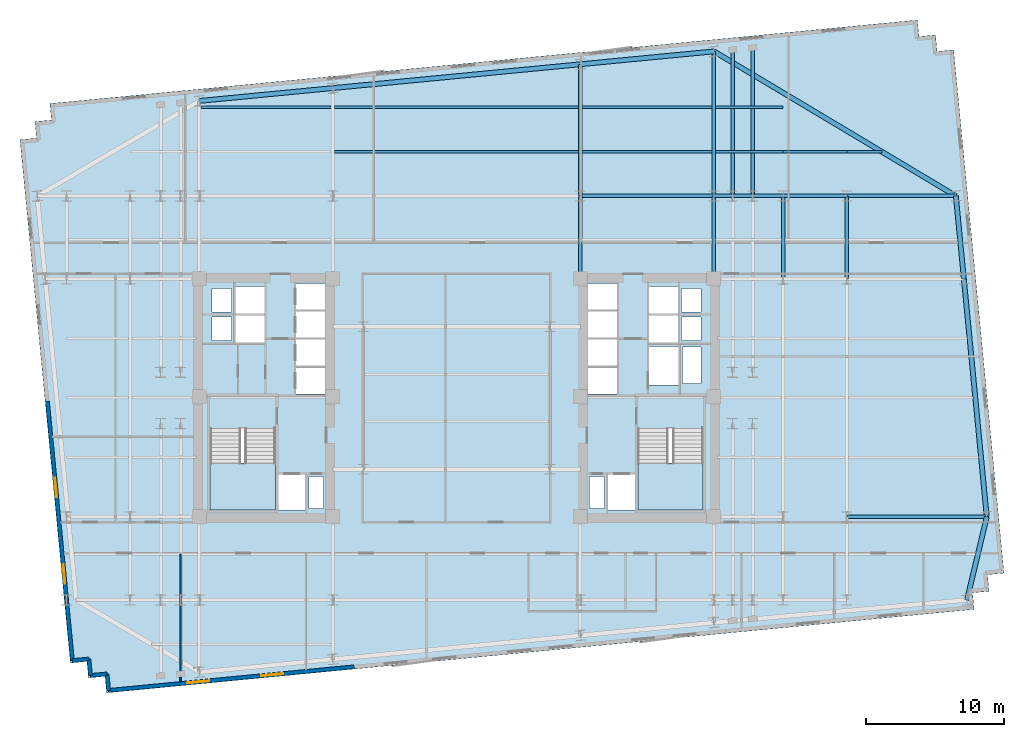
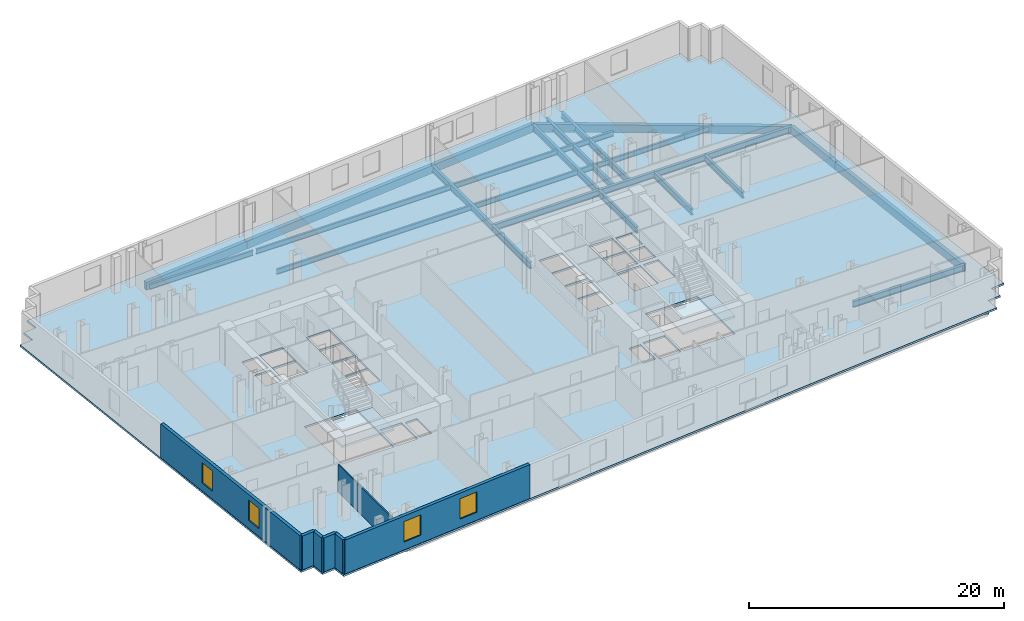
# One storey, part 3 of 10: 29 beams, 7 walls, 4 windows, 3 slabs, 4 openings, 2 elements without a shape of their own.
"""IFC4 building model written with IfcOpenShell, lengths in metres."""

from ifc_helpers import new_model, si_unit, direction, frame, frame_2d, origin, origin_2d, place, context, subcontext, project, spatial, polyline, rectangle, i_section, outline, extrude, material, layer, layer_set, material_profile, profile_set, type_object, element, fill, aggregate, save


model = new_model("IFC4")

# Units and contexts
model_context = context("Model", 3, precision=1e-05, world=origin(), true_north=direction((0.0, 1.0)))
body_context = subcontext(model_context, "Body", "Model", "MODEL_VIEW")
ifc_project = project(units=[si_unit("LENGTHUNIT", "METRE"), si_unit("AREAUNIT", "SQUARE_METRE"), si_unit("VOLUMEUNIT", "CUBIC_METRE"), si_unit("PLANEANGLEUNIT", "RADIAN"), si_unit("MASSUNIT", "GRAM", prefix="KILO")], contexts=[model_context])

# Site, building, storey
site_placement = place(None, origin())
site = spatial("IfcSite", under=ifc_project, at=site_placement, CompositionType="ELEMENT")
building_placement = place(site_placement, origin())
building = spatial("IfcBuilding", under=site, at=building_placement, Name="Velakula Bourse", CompositionType="ELEMENT")
storey_placement = place(building_placement, frame((0.0, 0.0, 84.550048828125)))
storey = spatial("IfcBuildingStorey", under=building, at=storey_placement, Name="L22", CompositionType="ELEMENT", Elevation=84.550048828125)

# Beams
ifc_material_1 = material(Name="Steel IS 2062 Grade 350 (E350)", Category="steel")
ifc_material_profile_1 = material_profile(ifc_material_1, i_section(OverallWidth=0.25, OverallDepth=0.60009765625, WebThickness=0.01171875, FlangeThickness=0.023681640625, at=origin_2d()), Name="Steel IS 2062 Grade 350 (E350)")
ifc_profile_set_1 = profile_set([ifc_material_profile_1], Name="Steel IS 2062 Grade 350 (E350)")
beam_type_1 = type_object("IfcBeamType", Name="BM-GRD-600H", PredefinedType="BEAM", material=ifc_profile_set_1)
for number, where, z_axis, x_axis, name in (
    (1, (8.949951171875, 8.60009765625, -0.47998046875), (0.0, 1.0, 0.0), (-1.0, 0.0, 0.0), "L22 Fulcrum Grid Girder FLC-ECN"),
    (2, (18.60009765625, 8.60009765625, -0.47998046875), (0.0, 1.0, 0.0), (-1.0, 0.0, 0.0), "L22 Fulcrum Grid Girder FLC-EN"),
):
    element("IfcBeam", number, at=place(storey_placement, frame(where, z_axis=z_axis, x_axis=x_axis)), inside=storey, type_object=beam_type_1, Name=name, PredefinedType="BEAM", context=body_context, shape_type="SweptSolid", body=[
        extrude(i_section(OverallWidth=0.25, OverallDepth=0.60009765625, WebThickness=0.01171875, FlangeThickness=0.023681640625, at=origin_2d()), origin(), (0.0, 0.0, 1.0), 6.0),
    ])
beam_1_placement = place(storey_placement, frame((8.949951171875, 14.60009765625, -0.47998046875), z_axis=(1.0, 0.0, 0.0), x_axis=(0.0, 1.0, 0.0)))
element("IfcBeam", 3, at=beam_1_placement, inside=storey, type_object=beam_type_1, Name="L22 Fulcrum Grid Girder FLC-N3", PredefinedType="BEAM", context=body_context, shape_type="SweptSolid", body=[
    extrude(i_section(OverallWidth=0.25, OverallDepth=0.60009765625, WebThickness=0.01171875, FlangeThickness=0.023681640625, at=origin_2d()), origin(), (0.0, 0.0, 1.0), 9.650146484375),
])
beam_2_placement = place(storey_placement, frame((18.60009765625, 14.60009765625, -0.47998046875), z_axis=(1.0, 0.0, 0.0), x_axis=(0.0, 1.0, 0.0)))
element("IfcBeam", 4, at=beam_2_placement, inside=storey, type_object=beam_type_1, Name="L22 Fulcrum Grid Girder MWG-EN2", PredefinedType="BEAM", context=body_context, shape_type="SweptSolid", body=[
    extrude(i_section(OverallWidth=0.25, OverallDepth=0.60009765625, WebThickness=0.01171875, FlangeThickness=0.023681640625, at=origin_2d()), origin(), (0.0, 0.0, 1.0), 5.0),
])
beam_3_placement = place(storey_placement, frame((23.60009765625, 8.60009765625, -0.47998046875), z_axis=(0.0, 1.0, 0.0), x_axis=(-1.0, 0.0, 0.0)))
element("IfcBeam", 5, at=beam_3_placement, inside=storey, type_object=beam_type_1, Name="L22 Fulcrum Grid Girder MWG-ENS3", PredefinedType="BEAM", context=body_context, shape_type="SweptSolid", body=[
    extrude(i_section(OverallWidth=0.25, OverallDepth=0.60009765625, WebThickness=0.01171875, FlangeThickness=0.023681640625, at=origin_2d()), origin(), (0.0, 0.0, 1.0), 6.0),
])
beam_4_placement = place(storey_placement, frame((23.60009765625, 14.60009765625, -0.47998046875), z_axis=(1.0, 0.0, 0.0), x_axis=(0.0, 1.0, 0.0)))
element("IfcBeam", 6, at=beam_4_placement, inside=storey, type_object=beam_type_1, Name="L22 Fulcrum Grid Girder WNG-EN2", PredefinedType="BEAM", context=body_context, shape_type="SweptSolid", body=[
    extrude(i_section(OverallWidth=0.25, OverallDepth=0.60009765625, WebThickness=0.01171875, FlangeThickness=0.023681640625, at=origin_2d()), origin(), (0.0, 0.0, 1.0), 4.599853515625),
])
beam_5_placement = place(storey_placement, frame((28.199951171875, 8.60009765625, -0.47998046875), z_axis=(0.0, 1.0, 0.0), x_axis=(-1.0, 0.0, 0.0)))
element("IfcBeam", 7, at=beam_5_placement, inside=storey, type_object=beam_type_1, Name="L22 Fulcrum Grid Girder WNG-ENS3", PredefinedType="BEAM", context=body_context, shape_type="SweptSolid", body=[
    extrude(i_section(OverallWidth=0.25, OverallDepth=0.60009765625, WebThickness=0.01171875, FlangeThickness=0.023681640625, at=origin_2d()), origin(), (0.0, 0.0, 1.0), 6.0),
])
beam_6_placement = place(storey_placement, frame((8.949951171875, 14.60009765625, -0.47998046875), z_axis=(0.0, 1.0, 0.0), x_axis=(-1.0, 0.0, 0.0)))
element("IfcBeam", 8, at=beam_6_placement, inside=storey, type_object=beam_type_1, Name="L22 Perimeter Tie Girder N3", PredefinedType="BEAM", context=body_context, shape_type="SweptSolid", body=[
    extrude(i_section(OverallWidth=0.25, OverallDepth=0.60009765625, WebThickness=0.01171875, FlangeThickness=0.023681640625, at=origin_2d()), origin(), (0.0, 0.0, 1.0), 9.521484375),
])
beam_7_placement = place(storey_placement, frame((18.60009765625, 14.60009765625, -0.47998046875), z_axis=(0.0, 1.0, 0.0), x_axis=(-1.0, 0.0, 0.0)))
element("IfcBeam", 9, at=beam_7_placement, inside=storey, type_object=beam_type_1, Name="L22 Perimeter Tie Girder N4", PredefinedType="BEAM", context=body_context, shape_type="SweptSolid", body=[
    extrude(i_section(OverallWidth=0.25, OverallDepth=0.60009765625, WebThickness=0.01171875, FlangeThickness=0.023681640625, at=origin_2d()), origin(), (0.0, 0.0, 1.0), 10.45068359375),
])
beam_8_placement = place(storey_placement, frame((28.199951171875, -8.60009765625, -0.47998046875), z_axis=(1.0, 0.0, 0.0), x_axis=(0.0, 1.0, 0.0)))
element("IfcBeam", 10, at=beam_8_placement, inside=storey, type_object=beam_type_1, Name="L22 Perimeter Tie Girder E2", PredefinedType="BEAM", context=body_context, shape_type="SweptSolid", body=[
    extrude(i_section(OverallWidth=0.25, OverallDepth=0.60009765625, WebThickness=0.01171875, FlangeThickness=0.023681640625, at=origin_2d()), origin(), (0.0, 0.0, 1.0), 10.119873046875),
])
beam_9_placement = place(storey_placement, frame((28.199951171875, 14.60009765625, -0.47998046875), z_axis=(1.0, 0.0, 0.0), x_axis=(0.0, 1.0, 0.0)))
element("IfcBeam", 11, at=beam_9_placement, inside=storey, type_object=beam_type_1, Name="L22 Perimeter Tie Girder E4", PredefinedType="BEAM", context=body_context, shape_type="SweptSolid", body=[
    extrude(i_section(OverallWidth=0.25, OverallDepth=0.60009765625, WebThickness=0.01171875, FlangeThickness=0.023681640625, at=origin_2d()), origin(), (0.0, 0.0, 1.0), 7.885986328125),
])
beam_10_placement = place(storey_placement, frame((19.949951171875, 14.60009765625, -0.47998046875), z_axis=(0.0, 1.0, 0.0), x_axis=(-1.0, 0.0, 0.0)))
element("IfcBeam", 12, at=beam_10_placement, inside=storey, type_object=beam_type_1, Name="L22 Perimeter Tie Girder P07", PredefinedType="BEAM", context=body_context, shape_type="SweptSolid", body=[
    extrude(i_section(OverallWidth=0.25, OverallDepth=0.60009765625, WebThickness=0.01171875, FlangeThickness=0.023681640625, at=origin_2d()), origin(), (0.0, 0.0, 1.0), 10.580810546875),
])
beam_11_placement = place(storey_placement, frame((21.39990234375, 14.60009765625, -0.47998046875), z_axis=(0.0, 1.0, 0.0), x_axis=(-1.0, 0.0, 0.0)))
element("IfcBeam", 13, at=beam_11_placement, inside=storey, type_object=beam_type_1, Name="L22 Perimeter Tie Girder P08", PredefinedType="BEAM", context=body_context, shape_type="SweptSolid", body=[
    extrude(i_section(OverallWidth=0.25, OverallDepth=0.60009765625, WebThickness=0.01171875, FlangeThickness=0.023681640625, at=origin_2d()), origin(), (0.0, 0.0, 1.0), 10.720458984375),
])
ifc_material_profile_2 = material_profile(ifc_material_1, i_section(OverallWidth=0.179931640625, OverallDepth=0.5, WebThickness=0.01025390625, FlangeThickness=0.01708984375, at=origin_2d()), Name="Steel IS 2062 Grade 350 (E350)")
ifc_profile_set_2 = profile_set([ifc_material_profile_2], Name="Steel IS 2062 Grade 350 (E350)")
beam_type_2 = type_object("IfcBeamType", Name="JST-TWR-500", PredefinedType="JOIST", material=ifc_profile_set_2)
beam_12_placement = place(storey_placement, frame((-8.824951171875, 17.800048828125, -0.429931640625), z_axis=(1.0, 0.0, 0.0), x_axis=(0.0, 1.0, 0.0)))
element("IfcBeam", 14, at=beam_12_placement, inside=storey, type_object=beam_type_2, Name="L22 Trading Floor Composite Joist 22", PredefinedType="JOIST", context=body_context, shape_type="SweptSolid", body=[
    extrude(i_section(OverallWidth=0.179931640625, OverallDepth=0.5, WebThickness=0.01025390625, FlangeThickness=0.01708984375, at=origin_2d()), origin(), (0.0, 0.0, 1.0), 17.64990234375),
])
beam_13_placement = place(storey_placement, frame((9.074951171875, 17.800048828125, -0.429931640625), z_axis=(1.0, 0.0, 0.0), x_axis=(0.0, 1.0, 0.0)))
element("IfcBeam", 15, at=beam_13_placement, inside=storey, type_object=beam_type_2, Name="L22 Trading Floor Composite Joist 23", PredefinedType="JOIST", context=body_context, shape_type="SweptSolid", body=[
    extrude(i_section(OverallWidth=0.179931640625, OverallDepth=0.5, WebThickness=0.01025390625, FlangeThickness=0.01708984375, at=origin_2d()), origin(), (0.0, 0.0, 1.0), 9.400146484375),
])
beam_14_placement = place(storey_placement, frame((18.72509765625, 17.800048828125, -0.429931640625), z_axis=(1.0, 0.0, 0.0), x_axis=(0.0, 1.0, 0.0)))
element("IfcBeam", 16, at=beam_14_placement, inside=storey, type_object=beam_type_2, Name="L22 Trading Floor Composite Joist 24", PredefinedType="JOIST", context=body_context, shape_type="SweptSolid", body=[
    extrude(i_section(OverallWidth=0.179931640625, OverallDepth=0.5, WebThickness=0.01025390625, FlangeThickness=0.01708984375, at=origin_2d()), origin(), (0.0, 0.0, 1.0), 4.875),
])
beam_15_placement = place(storey_placement, frame((23.60009765625, 17.800048828125, -0.429931640625), z_axis=(1.0, 0.0, 0.0), x_axis=(0.0, 1.0, 0.0)))
element("IfcBeam", 17, at=beam_15_placement, inside=storey, type_object=beam_type_2, Name="L22 Trading Floor Composite Joist 25", PredefinedType="JOIST", context=body_context, shape_type="SweptSolid", body=[
    extrude(i_section(OverallWidth=0.179931640625, OverallDepth=0.5, WebThickness=0.01025390625, FlangeThickness=0.01708984375, at=origin_2d()), origin(), (0.0, 0.0, 1.0), 4.599853515625),
])
beam_16_placement = place(storey_placement, frame((28.199951171875, 17.800048828125, -0.429931640625), z_axis=(1.0, 0.0, 0.0), x_axis=(0.0, 1.0, 0.0)))
element("IfcBeam", 18, at=beam_16_placement, inside=storey, type_object=beam_type_2, Name="L22 Trading Floor Composite Joist 26", PredefinedType="JOIST", context=body_context, shape_type="SweptSolid", body=[
    extrude(i_section(OverallWidth=0.179931640625, OverallDepth=0.5, WebThickness=0.01025390625, FlangeThickness=0.01708984375, at=origin_2d()), origin(), (0.0, 0.0, 1.0), 2.53173828125),
])
beam_17_placement = place(storey_placement, frame((-18.47509765625, 21.0, -0.429931640625), z_axis=(1.0, 0.0, 0.0), x_axis=(0.0, 1.0, 0.0)))
element("IfcBeam", 19, at=beam_17_placement, inside=storey, type_object=beam_type_2, Name="L22 Trading Floor Composite Joist 27", PredefinedType="JOIST", context=body_context, shape_type="SweptSolid", body=[
    extrude(i_section(OverallWidth=0.179931640625, OverallDepth=0.5, WebThickness=0.01025390625, FlangeThickness=0.01708984375, at=origin_2d()), origin(), (0.0, 0.0, 1.0), 9.400146484375),
])
beam_18_placement = place(storey_placement, frame((-8.824951171875, 21.0, -0.429931640625), z_axis=(1.0, 0.0, 0.0), x_axis=(0.0, 1.0, 0.0)))
element("IfcBeam", 20, at=beam_18_placement, inside=storey, type_object=beam_type_2, Name="L22 Trading Floor Composite Joist 28", PredefinedType="JOIST", context=body_context, shape_type="SweptSolid", body=[
    extrude(i_section(OverallWidth=0.179931640625, OverallDepth=0.5, WebThickness=0.01025390625, FlangeThickness=0.01708984375, at=origin_2d()), origin(), (0.0, 0.0, 1.0), 17.64990234375),
])
beam_19_placement = place(storey_placement, frame((9.074951171875, 21.0, -0.429931640625), z_axis=(1.0, 0.0, 0.0), x_axis=(0.0, 1.0, 0.0)))
element("IfcBeam", 21, at=beam_19_placement, inside=storey, type_object=beam_type_2, Name="L22 Trading Floor Composite Joist 29", PredefinedType="JOIST", context=body_context, shape_type="SweptSolid", body=[
    extrude(i_section(OverallWidth=0.179931640625, OverallDepth=0.5, WebThickness=0.01025390625, FlangeThickness=0.01708984375, at=origin_2d()), origin(), (0.0, 0.0, 1.0), 9.400146484375),
])
beam_20_placement = place(storey_placement, frame((18.72509765625, 21.0, -0.429931640625), z_axis=(1.0, 0.0, 0.0), x_axis=(0.0, 1.0, 0.0)))
element("IfcBeam", 22, at=beam_20_placement, inside=storey, type_object=beam_type_2, Name="L22 Trading Floor Composite Joist 30", PredefinedType="JOIST", context=body_context, shape_type="SweptSolid", body=[
    extrude(i_section(OverallWidth=0.179931640625, OverallDepth=0.5, WebThickness=0.01025390625, FlangeThickness=0.01708984375, at=origin_2d()), origin(), (0.0, 0.0, 1.0), 4.875),
])
ifc_material_2 = material(Name="Precast concrete M45 (fck 45 MPa)", Category="concrete")
ifc_material_profile_3 = material_profile(ifc_material_2, rectangle(XDim=0.35009765625, YDim=0.75, at=origin_2d()), Name="Precast concrete M45 (fck 45 MPa)")
ifc_profile_set_3 = profile_set([ifc_material_profile_3], Name="Precast concrete M45 (fck 45 MPa)")
beam_type_3 = type_object("IfcBeamType", Name="SPN-BRICK-750", PredefinedType="SPANDREL", material=ifc_profile_set_3)
beam_21_placement = place(storey_placement, frame((-18.60009765625, 21.468994140625, -0.554931640625), z_axis=(0.99539623971, 0.095845323155, 0.0), x_axis=(-0.095845323155, 0.99539623971, 0.0)))
element("IfcBeam", 23, at=beam_21_placement, inside=storey, type_object=beam_type_3, Name="L22 Brick-Faced Precast Spandrel N1-N2", PredefinedType="SPANDREL", context=body_context, shape_type="SweptSolid", body=[
    extrude(rectangle(XDim=0.35009765625, YDim=0.75, at=origin_2d()), origin(), (0.0, 0.0, 1.0), 9.69482421875),
])
beam_22_placement = place(storey_placement, frame((-8.949951171875, 22.398193359375, -0.554931640625), z_axis=(0.995397131467, 0.095836061418, 0.0), x_axis=(-0.095836061418, 0.995397131467, 0.0)))
element("IfcBeam", 24, at=beam_22_placement, inside=storey, type_object=beam_type_3, Name="L22 Brick-Faced Precast Spandrel N2-N3", PredefinedType="SPANDREL", context=body_context, shape_type="SweptSolid", body=[
    extrude(rectangle(XDim=0.35009765625, YDim=0.75, at=origin_2d()), origin(), (0.0, 0.0, 1.0), 17.982666015625),
])
beam_23_placement = place(storey_placement, frame((8.949951171875, 24.12158203125, -0.554931640625), z_axis=(0.99539623971, 0.095845323155, 0.0), x_axis=(-0.095845323155, 0.99539623971, 0.0)))
element("IfcBeam", 25, at=beam_23_placement, inside=storey, type_object=beam_type_3, Name="L22 Brick-Faced Precast Spandrel N3-N4", PredefinedType="SPANDREL", context=body_context, shape_type="SweptSolid", body=[
    extrude(rectangle(XDim=0.35009765625, YDim=0.75, at=origin_2d()), origin(), (0.0, 0.0, 1.0), 9.69482421875),
])
beam_24_placement = place(storey_placement, frame((36.88818359375, -14.60009765625, -0.554931640625), z_axis=(0.232091371601, 0.972693988482, 0.0), x_axis=(-0.972693988482, 0.232091371601, 0.0)))
element("IfcBeam", 26, at=beam_24_placement, inside=storey, type_object=beam_type_3, Name="L22 Brick-Faced Precast Spandrel E1-E2", PredefinedType="SPANDREL", context=body_context, shape_type="SweptSolid", body=[
    extrude(rectangle(XDim=0.35009765625, YDim=0.75, at=origin_2d()), origin(), (0.0, 0.0, 1.0), 6.16845703125),
])
beam_25_placement = place(storey_placement, frame((38.31982421875, -8.60009765625, -0.554931640625), z_axis=(-0.095849167925, 0.995395869495, 0.0), x_axis=(-0.995395869495, -0.095849167925, 0.0)))
element("IfcBeam", 27, at=beam_25_placement, inside=storey, type_object=beam_type_3, Name="L22 Brick-Faced Precast Spandrel E2-E3", PredefinedType="SPANDREL", context=body_context, shape_type="SweptSolid", body=[
    extrude(rectangle(XDim=0.35009765625, YDim=0.75, at=origin_2d()), origin(), (0.0, 0.0, 1.0), 17.27978515625),
])
beam_26_placement = place(storey_placement, frame((36.66357421875, 8.60009765625, -0.554931640625), z_axis=(-0.095829714309, 0.995397742541, 0.0), x_axis=(-0.995397742541, -0.095829714309, 0.0)))
element("IfcBeam", 28, at=beam_26_placement, inside=storey, type_object=beam_type_3, Name="L22 Brick-Faced Precast Spandrel E3-E4", PredefinedType="SPANDREL", context=body_context, shape_type="SweptSolid", body=[
    extrude(rectangle(XDim=0.35009765625, YDim=0.75, at=origin_2d()), origin(), (0.0, 0.0, 1.0), 6.02783203125),
])
beam_27_placement = place(storey_placement, frame((36.0859375, 14.60009765625, -0.554931640625), z_axis=(-0.858375715449, 0.513021569846, 0.0), x_axis=(-0.513021569846, -0.858375715449, 0.0)))
element("IfcBeam", 29, at=beam_27_placement, inside=storey, type_object=beam_type_3, Name="L22 Brick-Faced Precast Spandrel E4-N4", PredefinedType="SPANDREL", context=body_context, shape_type="SweptSolid", body=[
    extrude(rectangle(XDim=0.35009765625, YDim=0.75, at=origin_2d()), origin(), (0.0, 0.0, 1.0), 20.370849609375),
])

# Stair, slab
ifc_material_3 = material(Name="Concrete M45 (fck 45 MPa)", Category="concrete")
stair_type = type_object("IfcStairType", Name="STR-DOG-390", PredefinedType="HALF_TURN_STAIR", material=ifc_material_3)
stair_1_placement = place(storey_placement, origin())
stair_1 = element("IfcStair", 30, at=stair_1_placement, inside=storey, type_object=stair_type, Name="L22 West Core Exit Stair ST-W1", PredefinedType="HALF_TURN_STAIR")
ifc_layer_1 = layer(ifc_material_3, 0.199951171875, Name="Concrete M45 (fck 45 MPa)", Category="concrete")
ifc_layer_set_1 = layer_set([ifc_layer_1], Name="Concrete M45 (fck 45 MPa)")
slab_type_1 = type_object("IfcSlabType", Name="SLB-STAIR-LND-200", PredefinedType="LANDING", material=ifc_layer_set_1)
slab_1_placement = place(storey_placement, frame((0.0, 0.0, 1.52490234375)))
slab_1 = element("IfcSlab", 31, at=slab_1_placement, type_object=slab_type_1, Name="ST-W1 landing 1", PredefinedType="LANDING", context=body_context, shape_type="SweptSolid", body=[
    extrude(outline(polyline([(-17.820068359375, -4.719970703125), (-17.820068359375, -8.10009765625), (-13.10009765625, -8.10009765625), (-13.10009765625, -4.719970703125), (-17.820068359375, -4.719970703125)])), origin(), (0.0, 0.0, 1.0), 0.199951171875),
])
aggregate(stair_1, [slab_1])

stair_2_placement = place(storey_placement, origin())
stair_2 = element("IfcStair", 32, at=stair_2_placement, inside=storey, type_object=stair_type, Name="L22 East Core Exit Stair ST-E1", PredefinedType="HALF_TURN_STAIR")
slab_2_placement = place(storey_placement, frame((0.0, 0.0, 1.52490234375)))
slab_2 = element("IfcSlab", 33, at=slab_2_placement, type_object=slab_type_1, Name="ST-E1 landing 1", PredefinedType="LANDING", context=body_context, shape_type="SweptSolid", body=[
    extrude(outline(polyline([(13.10009765625, -4.719970703125), (13.10009765625, -8.10009765625), (17.820068359375, -8.10009765625), (17.820068359375, -4.719970703125), (13.10009765625, -4.719970703125)])), origin(), (0.0, 0.0, 1.0), 0.199951171875),
])
aggregate(stair_2, [slab_2])

# Slab
ifc_material_4 = material(Name="Concrete M50 (fck 50 MPa)", Category="concrete")
ifc_layer_2 = layer(ifc_material_4, 0.179931640625, Name="Concrete M50 (fck 50 MPa)", Category="concrete")
ifc_layer_set_2 = layer_set([ifc_layer_2], Name="Concrete M50 (fck 50 MPa)")
slab_type_2 = type_object("IfcSlabType", Name="SLB-TWR-180", PredefinedType="FLOOR", material=ifc_layer_set_2)
slab_3_placement = place(storey_placement, frame((0.0, 0.0, -0.179931640625)))
element("IfcSlab", 34, at=slab_3_placement, inside=storey, type_object=slab_type_2, Name="L22 Suspended Structural Floor Slab", PredefinedType="FLOOR", context=body_context, shape_type="SweptSolid", body=[
    extrude(outline(polyline([(-25.303955078125, -21.320556640625), (37.406005859375, -15.2822265625), (37.291015625, -14.087890625), (38.485595703125, -13.972900390625), (38.37060546875, -12.7783203125), (39.56494140625, -12.663330078125), (35.9228515625, 25.16162109375), (34.728271484375, 25.046630859375), (34.61328125, 26.2412109375), (33.4189453125, 26.126220703125), (33.303955078125, 27.320556640625), (-29.406005859375, 21.2822265625), (-29.291015625, 20.087890625), (-30.485595703125, 19.972900390625), (-30.37060546875, 18.7783203125), (-31.56494140625, 18.663330078125), (-27.9228515625, -19.16162109375), (-26.728271484375, -19.046630859375), (-26.61328125, -20.2412109375), (-25.4189453125, -20.126220703125), (-25.303955078125, -21.320556640625)]), holes=[polyline([(-17.820068359375, -8.10009765625), (-13.10009765625, -8.10009765625), (-13.10009765625, -2.199951171875), (-17.820068359375, -2.199951171875), (-17.820068359375, -8.10009765625)]), polyline([(13.10009765625, -8.10009765625), (17.820068359375, -8.10009765625), (17.820068359375, -2.199951171875), (13.10009765625, -2.199951171875), (13.10009765625, -8.10009765625)]), polyline([(-12.89990234375, -8.10009765625), (-10.949951171875, -8.10009765625), (-10.949951171875, -5.550048828125), (-12.89990234375, -5.550048828125), (-12.89990234375, -8.10009765625)]), polyline([(10.949951171875, -8.10009765625), (12.89990234375, -8.10009765625), (12.89990234375, -5.550048828125), (10.949951171875, -5.550048828125), (10.949951171875, -8.10009765625)]), polyline([(13.89990234375, 0.919921875), (16.050048828125, 0.919921875), (16.050048828125, 3.719970703125), (13.89990234375, 3.719970703125), (13.89990234375, 0.919921875)]), polyline([(-10.679931640625, -7.97998046875), (-9.6201171875, -7.97998046875), (-9.6201171875, -5.669921875), (-10.679931640625, -5.669921875), (-10.679931640625, -7.97998046875)]), polyline([(-17.679931640625, 4.139892578125), (-16.27001953125, 4.139892578125), (-16.27001953125, 5.85009765625), (-17.679931640625, 5.85009765625), (-17.679931640625, 4.139892578125)]), polyline([(-17.679931640625, 6.2099609375), (-16.27001953125, 6.2099609375), (-16.27001953125, 7.919921875), (-17.679931640625, 7.919921875), (-17.679931640625, 6.2099609375)]), polyline([(9.6201171875, -7.97998046875), (10.679931640625, -7.97998046875), (10.679931640625, -5.669921875), (9.6201171875, -5.669921875), (9.6201171875, -7.97998046875)]), polyline([(16.27001953125, 4.139892578125), (17.679931640625, 4.139892578125), (17.679931640625, 5.85009765625), (16.27001953125, 5.85009765625), (16.27001953125, 4.139892578125)]), polyline([(16.27001953125, 6.2099609375), (17.679931640625, 6.2099609375), (17.679931640625, 7.919921875), (16.27001953125, 7.919921875), (16.27001953125, 6.2099609375)]), polyline([(16.320068359375, 1.0400390625), (17.679931640625, 1.0400390625), (17.679931640625, 3.699951171875), (16.320068359375, 3.699951171875), (16.320068359375, 1.0400390625)]), polyline([(-11.60009765625, 0.280029296875), (-9.5, 0.280029296875), (-9.5, 2.199951171875), (-11.60009765625, 2.199951171875), (-11.60009765625, 0.280029296875)]), polyline([(-11.60009765625, 2.31005859375), (-9.5, 2.31005859375), (-9.5, 4.22998046875), (-11.60009765625, 4.22998046875), (-11.60009765625, 2.31005859375)]), polyline([(-11.60009765625, 4.340087890625), (-9.5, 4.340087890625), (-9.5, 6.260009765625), (-11.60009765625, 6.260009765625), (-11.60009765625, 4.340087890625)]), polyline([(-11.60009765625, 6.3701171875), (-9.5, 6.3701171875), (-9.5, 8.2900390625), (-11.60009765625, 8.2900390625), (-11.60009765625, 6.3701171875)]), polyline([(9.5, 0.280029296875), (11.60009765625, 0.280029296875), (11.60009765625, 2.199951171875), (9.5, 2.199951171875), (9.5, 0.280029296875)]), polyline([(9.5, 2.31005859375), (11.60009765625, 2.31005859375), (11.60009765625, 4.22998046875), (9.5, 4.22998046875), (9.5, 2.31005859375)]), polyline([(9.5, 4.340087890625), (11.60009765625, 4.340087890625), (11.60009765625, 6.260009765625), (9.5, 6.260009765625), (9.5, 4.340087890625)]), polyline([(9.5, 6.3701171875), (11.60009765625, 6.3701171875), (11.60009765625, 8.2900390625), (9.5, 8.2900390625), (9.5, 6.3701171875)]), polyline([(-16.0, 4.02001953125), (-13.89990234375, 4.02001953125), (-13.89990234375, 5.969970703125), (-16.0, 5.969970703125), (-16.0, 4.02001953125)]), polyline([(-16.0, 6.090087890625), (-13.89990234375, 6.090087890625), (-13.89990234375, 8.0400390625), (-16.0, 8.0400390625), (-16.0, 6.090087890625)]), polyline([(13.89990234375, 4.02001953125), (16.0, 4.02001953125), (16.0, 5.969970703125), (13.89990234375, 5.969970703125), (13.89990234375, 4.02001953125)]), polyline([(13.89990234375, 6.090087890625), (16.0, 6.090087890625), (16.0, 8.0400390625), (13.89990234375, 8.0400390625), (13.89990234375, 6.090087890625)])]), origin(), (0.0, 0.0, 1.0), 0.179931640625),
])

# Wall, openings, windows
ifc_material_5 = material(Name="Red kilned clay facing brick masonry", Category="masonry")
ifc_layer_3 = layer(ifc_material_5, 0.280029296875, Name="Red kilned clay facing brick masonry", Category="masonry")
ifc_layer_set_3 = layer_set([ifc_layer_3], Name="Red kilned clay facing brick masonry")
wall_type_1 = type_object("IfcWallType", Name="WL-EXT-BRK-280", PredefinedType="STANDARD", material=ifc_layer_set_3)
wall_1_placement = place(storey_placement, frame((-7.402099609375, -19.43603515625, 0.0), z_axis=(0.0, 0.0, 1.0), x_axis=(-0.995395780835, -0.095850088663, 0.0)))
wall_1 = element("IfcWall", 35, at=wall_1_placement, inside=storey, type_object=wall_type_1, Name="L22 S Brick Spandrel Wall B1", PredefinedType="STANDARD", context=body_context, shape_type="SweptSolid", body=[
    extrude(rectangle(XDim=17.83984375, YDim=0.280029296875, at=frame_2d((8.919921875, 0.0))), origin(), (0.0, 0.0, 1.0), 3.25),
])
opening_1_placement = place(wall_1_placement, frame((5.146728515625, 0.0, 0.760009765625)))
opening_1 = element("IfcOpeningElement", 36, at=opening_1_placement, cuts=wall_1, Name="Opening W-02", PredefinedType="OPENING", context=body_context, shape_type="SweptSolid", body=[
    extrude(rectangle(XDim=1.60009765625, YDim=1.949951171875, at=frame_2d((0.800048828125, 0.97509765625))), frame((0.0, 0.14990234375, 0.0), z_axis=(0.0, -1.0, 0.0), x_axis=(1.0, 0.0, 0.0)), (0.0, 0.0, 1.0), 0.300048828125),
])
opening_2_placement = place(wall_1_placement, frame((10.543212890625, 0.0, 0.760009765625)))
opening_2 = element("IfcOpeningElement", 37, at=opening_2_placement, cuts=wall_1, Name="Opening W-02", PredefinedType="OPENING", context=body_context, shape_type="SweptSolid", body=[
    extrude(rectangle(XDim=1.60009765625, YDim=1.949951171875, at=frame_2d((0.800048828125, 0.97509765625))), frame((0.0, 0.14990234375, 0.0), z_axis=(0.0, -1.0, 0.0), x_axis=(1.0, 0.0, 0.0)), (0.0, 0.0, 1.0), 0.300048828125),
])
ifc_material_6 = material(Name="Double-glazed solar-control Low-E glass", Category="glass")
window_type_1 = type_object("IfcWindowType", Name="WIN-TWR-1600x2100", PartitioningType="SINGLE_PANEL", PredefinedType="WINDOW", material=ifc_material_6)
window_1_placement = place(opening_1_placement, origin())
window_1 = element("IfcWindow", 38, at=window_1_placement, inside=storey, type_object=window_type_1, Name="L22 Deep-Set Recessed Window 1", OverallHeight=1.949951171875, OverallWidth=1.60009765625, PartitioningType="SINGLE_PANEL", PredefinedType="WINDOW", context=body_context, shape_type="SweptSolid", body=[
    extrude(rectangle(XDim=1.60009765625, YDim=1.949951171875, at=frame_2d((0.800048828125, 0.97509765625))), frame((0.0, 0.030029296875, 0.0), z_axis=(0.0, -1.0, 0.0), x_axis=(1.0, 0.0, 0.0)), (0.0, 0.0, 1.0), 0.06005859375),
])
fill(opening_1, window_1)
window_2_placement = place(opening_2_placement, origin())
window_2 = element("IfcWindow", 39, at=window_2_placement, inside=storey, type_object=window_type_1, Name="L22 Deep-Set Recessed Window 2", OverallHeight=1.949951171875, OverallWidth=1.60009765625, PartitioningType="SINGLE_PANEL", PredefinedType="WINDOW", context=body_context, shape_type="SweptSolid", body=[
    extrude(rectangle(XDim=1.60009765625, YDim=1.949951171875, at=frame_2d((0.800048828125, 0.97509765625))), frame((0.0, 0.030029296875, 0.0), z_axis=(0.0, -1.0, 0.0), x_axis=(1.0, 0.0, 0.0)), (0.0, 0.0, 1.0), 0.06005859375),
])
fill(opening_2, window_2)

wall_2_placement = place(storey_placement, frame((-27.779052734375, -18.987060546875, 0.0), z_axis=(0.0, 0.0, 1.0), x_axis=(-0.095842534142, 0.995396508256, 0.0)))
wall_2 = element("IfcWall", 40, at=wall_2_placement, inside=storey, type_object=wall_type_1, Name="L22 W Brick End Wall W1", PredefinedType="STANDARD", context=body_context, shape_type="SweptSolid", body=[
    extrude(rectangle(XDim=18.83984375, YDim=0.280029296875, at=frame_2d((9.419921875, 0.0))), origin(), (0.0, 0.0, 1.0), 3.25),
])
opening_3_placement = place(wall_2_placement, frame((5.580078125, 0.0, 0.760009765625)))
opening_3 = element("IfcOpeningElement", 41, at=opening_3_placement, cuts=wall_2, Name="Opening W-03", PredefinedType="OPENING", context=body_context, shape_type="SweptSolid", body=[
    extrude(rectangle(XDim=1.39990234375, YDim=1.949951171875, at=frame_2d((0.699951171875, 0.97509765625))), frame((0.0, 0.14990234375, 0.0), z_axis=(0.0, -1.0, 0.0), x_axis=(1.0, 0.0, 0.0)), (0.0, 0.0, 1.0), 0.300048828125),
])
opening_4_placement = place(wall_2_placement, frame((11.860107421875, 0.0, 0.760009765625)))
opening_4 = element("IfcOpeningElement", 42, at=opening_4_placement, cuts=wall_2, Name="Opening W-03", PredefinedType="OPENING", context=body_context, shape_type="SweptSolid", body=[
    extrude(rectangle(XDim=1.39990234375, YDim=1.949951171875, at=frame_2d((0.699951171875, 0.97509765625))), frame((0.0, 0.14990234375, 0.0), z_axis=(0.0, -1.0, 0.0), x_axis=(1.0, 0.0, 0.0)), (0.0, 0.0, 1.0), 0.300048828125),
])
window_type_2 = type_object("IfcWindowType", Name="WIN-TWR-1400x2100", PartitioningType="SINGLE_PANEL", PredefinedType="WINDOW", material=ifc_material_6)
window_3_placement = place(opening_3_placement, origin())
window_3 = element("IfcWindow", 43, at=window_3_placement, inside=storey, type_object=window_type_2, Name="L22 Deep-Set Recessed Window 1", OverallHeight=1.949951171875, OverallWidth=1.39990234375, PartitioningType="SINGLE_PANEL", PredefinedType="WINDOW", context=body_context, shape_type="SweptSolid", body=[
    extrude(rectangle(XDim=1.39990234375, YDim=1.949951171875, at=frame_2d((0.699951171875, 0.97509765625))), frame((0.0, 0.030029296875, 0.0), z_axis=(0.0, -1.0, 0.0), x_axis=(1.0, 0.0, 0.0)), (0.0, 0.0, 1.0), 0.06005859375),
])
fill(opening_3, window_3)
window_4_placement = place(opening_4_placement, origin())
window_4 = element("IfcWindow", 44, at=window_4_placement, inside=storey, type_object=window_type_2, Name="L22 Deep-Set Recessed Window 2", OverallHeight=1.949951171875, OverallWidth=1.39990234375, PartitioningType="SINGLE_PANEL", PredefinedType="WINDOW", context=body_context, shape_type="SweptSolid", body=[
    extrude(rectangle(XDim=1.39990234375, YDim=1.949951171875, at=frame_2d((0.699951171875, 0.97509765625))), frame((0.0, 0.030029296875, 0.0), z_axis=(0.0, -1.0, 0.0), x_axis=(1.0, 0.0, 0.0)), (0.0, 0.0, 1.0), 0.06005859375),
])
fill(opening_4, window_4)

# Walls
for number, where, z_axis, x_axis, name in (
    (45, (-27.779052734375, -18.987060546875, 0.0), (0.0, 0.0, 1.0), (0.995398960025, 0.095817067274, 0.0), "L22 Serrated Corner Brick Wall SW-1"),
    (46, (-26.58447265625, -18.8720703125, 0.0), (0.0, 0.0, 1.0), (0.095817067274, -0.995398960025, 0.0), "L22 Serrated Corner Brick Wall SW-2"),
    (47, (-26.469482421875, -20.066650390625, 0.0), (0.0, 0.0, 1.0), (0.995398960025, 0.095817067274, 0.0), "L22 Serrated Corner Brick Wall SW-3"),
):
    element("IfcWall", number, at=place(storey_placement, frame(where, z_axis=z_axis, x_axis=x_axis)), inside=storey, type_object=wall_type_1, Name=name, PredefinedType="STANDARD", context=body_context, shape_type="SweptSolid", body=[
        extrude(rectangle(XDim=1.2001953125, YDim=0.280029296875, at=frame_2d((0.60009765625, 0.0))), origin(), (0.0, 0.0, 1.0), 3.25),
    ])
wall_3_placement = place(storey_placement, frame((-25.27490234375, -19.95166015625, 0.0), z_axis=(0.0, 0.0, 1.0), x_axis=(0.095836473879, -0.995397091755, 0.0)))
element("IfcWall", 48, at=wall_3_placement, inside=storey, type_object=wall_type_1, Name="L22 Serrated Corner Brick Wall SW-4", PredefinedType="STANDARD", context=body_context, shape_type="SweptSolid", body=[
    extrude(rectangle(XDim=1.199951171875, YDim=0.280029296875, at=frame_2d((0.60009765625, 0.0))), origin(), (0.0, 0.0, 1.0), 3.25),
])
ifc_material_7 = material(Name="Fire-rated double-layer gypsum drywall partition", Category="gypsum")
ifc_layer_4 = layer(ifc_material_7, 0.1201171875, Name="Fire-rated double-layer gypsum drywall partition", Category="gypsum")
ifc_layer_set_4 = layer_set([ifc_layer_4], Name="Fire-rated double-layer gypsum drywall partition")
wall_type_2 = type_object("IfcWallType", Name="WL-PART-120", PredefinedType="STANDARD", material=ifc_layer_set_4)
wall_4_placement = place(storey_placement, frame((-19.9541015625, -20.524169921875, 0.0), z_axis=(0.0, 0.0, 1.0), x_axis=(0.0, 1.0, 0.0)))
element("IfcWall", 49, at=wall_4_placement, inside=storey, type_object=wall_type_2, Name="L22 Interior Partition WL-INT-L22-SL-D5", PredefinedType="STANDARD", context=body_context, shape_type="SweptSolid", body=[
    extrude(rectangle(XDim=9.234130859375, YDim=0.1201171875, at=frame_2d((4.6171875, 0.0))), origin(), (0.0, 0.0, 1.0), 2.64501953125),
])

save(model, "model.ifc")
